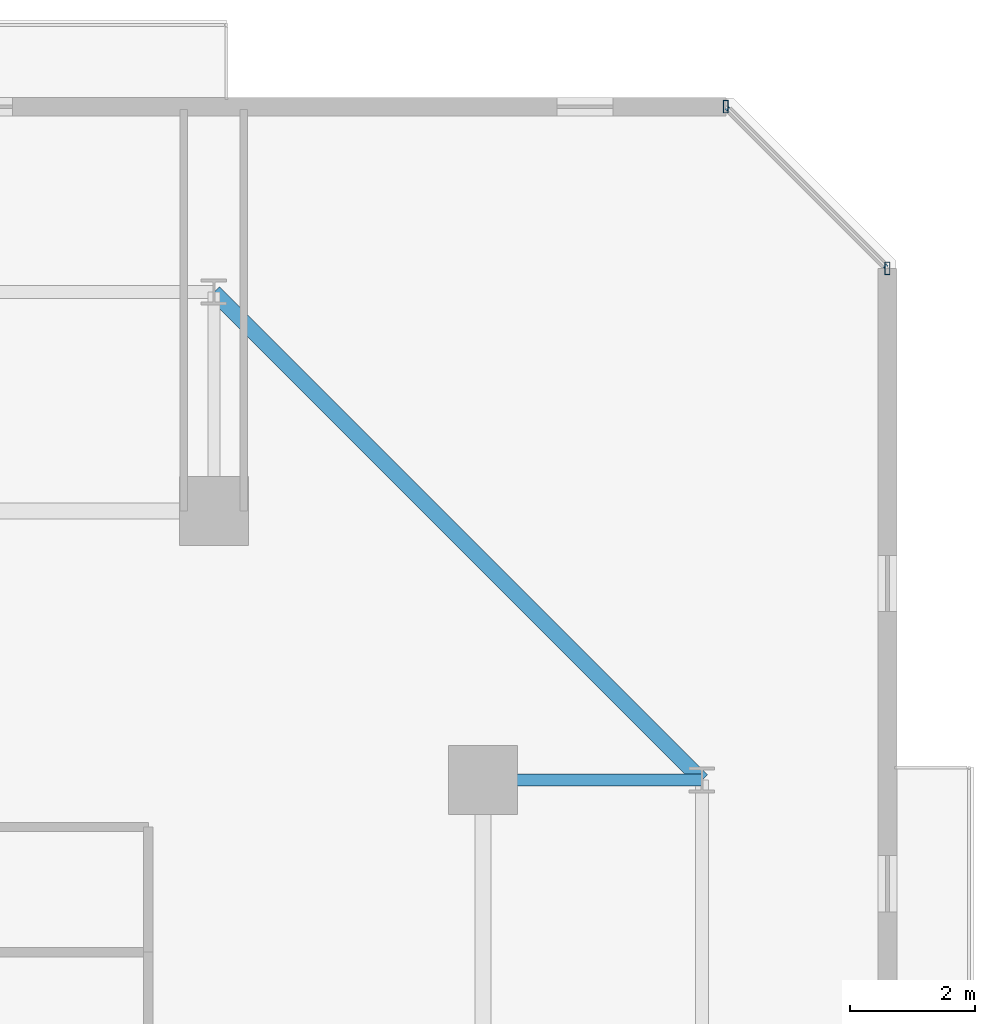
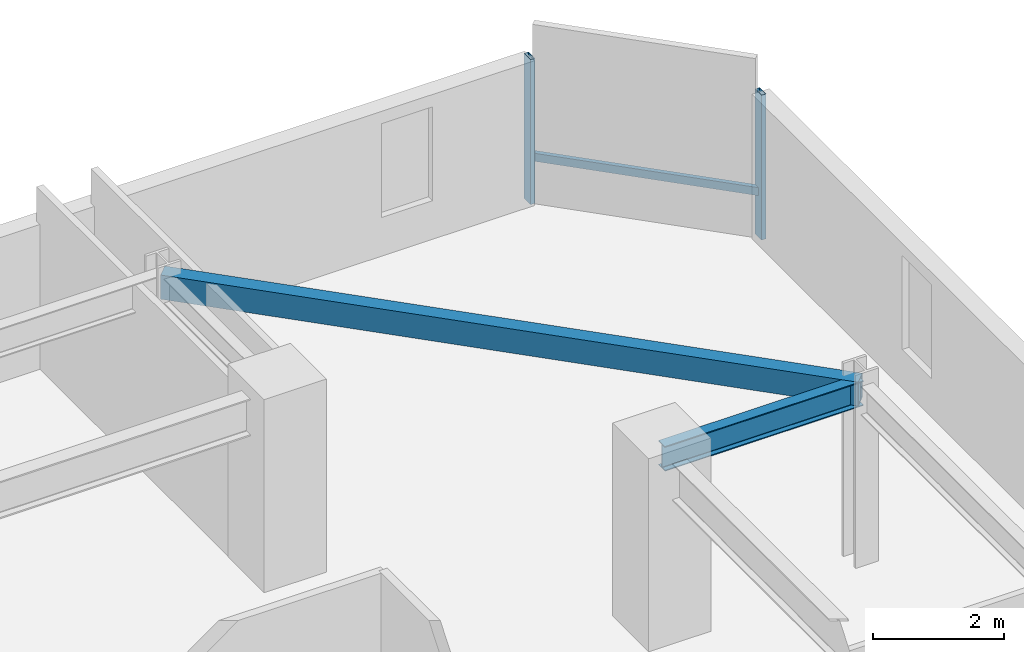
# One storey, part 17 of 33: 3 members, 2 beams, 1 element without a shape of its own.
"""IFC4 building model written with IfcOpenShell, lengths in metres."""

from ifc_helpers import new_model, si_unit, direction, frame, origin, origin_2d, place, context, subcontext, project, spatial, hollow_rectangle, i_section, extrude, material, material_profile, profile_set, type_object, element, aggregate, save


model = new_model("IFC4")

# Units and contexts
model_context = context("Model", 3, precision=1e-05, world=origin(), true_north=direction((0.0, 1.0)))
body_context = subcontext(model_context, "Body", "Model", "MODEL_VIEW")
ifc_project = project(units=[si_unit("LENGTHUNIT", "METRE"), si_unit("AREAUNIT", "SQUARE_METRE"), si_unit("VOLUMEUNIT", "CUBIC_METRE"), si_unit("PLANEANGLEUNIT", "RADIAN"), si_unit("MASSUNIT", "GRAM", prefix="KILO")], contexts=[model_context])

# Site, building, storey
site_placement = place(None, origin())
site = spatial("IfcSite", under=ifc_project, at=site_placement, CompositionType="ELEMENT")
building_placement = place(site_placement, origin())
building = spatial("IfcBuilding", under=site, at=building_placement, Name="Thornwick Lancets Civic Towers", CompositionType="ELEMENT")
storey_placement = place(building_placement, frame((0.0, 0.0, 167.10009765625)))
storey = spatial("IfcBuildingStorey", under=building, at=storey_placement, Name="L44", CompositionType="ELEMENT", Elevation=167.10009765625)

# Beams
ifc_material_1 = material(Name="Steel S355JR", Category="steel")
ifc_material_profile_1 = material_profile(ifc_material_1, i_section(OverallWidth=0.19189453125, OverallDepth=0.46337890625, WebThickness=0.010498046875, FlangeThickness=0.017578125, FilletRadius=0.01025390625, at=origin_2d()), Name="UKB 457x191x89")
ifc_profile_set_1 = profile_set([ifc_material_profile_1], Name="Steel S355JR")
beam_type_1 = type_object("IfcBeamType", Name="BM_JOIST_457_89", PredefinedType="JOIST", material=ifc_profile_set_1)
beam_1_placement = place(storey_placement, frame((105.800048828125, 40.0, 3.128173828125), z_axis=(1.0, 0.0, 0.0), x_axis=(0.0, 1.0, 0.0)))
element("IfcBeam", 1, at=beam_1_placement, inside=storey, type_object=beam_type_1, Name="BM-RAD-L44-B03", PredefinedType="JOIST", context=body_context, shape_type="SweptSolid", body=[
    extrude(i_section(OverallWidth=0.19189453125, OverallDepth=0.46337890625, WebThickness=0.010498046875, FlangeThickness=0.017578125, FilletRadius=0.01025390625, at=origin_2d()), origin(), (0.0, 0.0, 1.0), 3.5),
])
ifc_material_profile_2 = material_profile(ifc_material_1, hollow_rectangle(XDim=0.25, YDim=0.449951171875, WallThickness=0.01611328125, at=origin_2d()), Name="RHS 450x250x16")
ifc_profile_set_2 = profile_set([ifc_material_profile_2], Name="Steel S355JR")
beam_type_2 = type_object("IfcBeamType", Name="BM_RING_RHS450", PredefinedType="BEAM", material=ifc_profile_set_2)
beam_2_placement = place(storey_placement, frame((109.300048828125, 40.0, 3.135009765625), z_axis=(-0.707106781187, 0.707106781187, 0.0), x_axis=(-0.707106781187, -0.707106781187, 0.0)))
element("IfcBeam", 2, at=beam_2_placement, inside=storey, type_object=beam_type_2, Name="BM-CHAMF-L44-B-C0", PredefinedType="BEAM", context=body_context, shape_type="SweptSolid", body=[
    extrude(hollow_rectangle(XDim=0.25, YDim=0.449951171875, WallThickness=0.01611328125, at=origin_2d()), origin(), (0.0, 0.0, 1.0), 11.031005859375),
])

# Curtain wall, members
ifc_material_2 = material(Name="Mid-zone chamfered-corner unitised glass curtain wall", Category="glass")
curtain_wall_type = type_object("IfcCurtainWallType", Name="CW_SYS_04", PredefinedType="NOTDEFINED", material=ifc_material_2)
curtain_wall_placement = place(storey_placement, origin())
curtain_wall = element("IfcCurtainWall", 3, at=curtain_wall_placement, inside=storey, type_object=curtain_wall_type, Name="L44 Curtain Wall CW-L44-B-E3", PredefinedType="NOTDEFINED")
ifc_material_3 = material(Name="Thermally broken bronze aluminium S355", Category="steel")
ifc_material_profile_3 = material_profile(ifc_material_3, hollow_rectangle(XDim=0.080078125, YDim=0.199951171875, WallThickness=0.006103515625, at=origin_2d()), Name="RHS 200x80x6")
ifc_profile_set_3 = profile_set([ifc_material_profile_3], Name="Thermally broken bronze aluminium S355")
member_type_1 = type_object("IfcMemberType", Name="CW_MUL_200", PredefinedType="MULLION", material=ifc_profile_set_3)
member_1_placement = place(storey_placement, frame((112.2646484375, 48.181396484375, 0.0), z_axis=(0.0, 0.0, 1.0), x_axis=(1.0, 0.0, 0.0)))
member_1 = element("IfcMember", 4, at=member_1_placement, type_object=member_type_1, Name="CW-L44-B-E3 Mullion 0", PredefinedType="MULLION", context=body_context, shape_type="SweptSolid", body=[
    extrude(hollow_rectangle(XDim=0.080078125, YDim=0.199951171875, WallThickness=0.006103515625, at=origin_2d()), origin(), (0.0, 0.0, 1.0), 2.699951171875),
])
member_2_placement = place(storey_placement, frame((109.681396484375, 50.7646484375, 0.0), z_axis=(0.0, 0.0, 1.0), x_axis=(1.0, 0.0, 0.0)))
member_2 = element("IfcMember", 5, at=member_2_placement, type_object=member_type_1, Name="CW-L44-B-E3 Mullion 1", PredefinedType="MULLION", context=body_context, shape_type="SweptSolid", body=[
    extrude(hollow_rectangle(XDim=0.080078125, YDim=0.199951171875, WallThickness=0.006103515625, at=origin_2d()), origin(), (0.0, 0.0, 1.0), 2.699951171875),
])
ifc_material_profile_4 = material_profile(ifc_material_3, hollow_rectangle(XDim=0.074951171875, YDim=0.14990234375, WallThickness=0.0048828125, at=origin_2d()), Name="RHS 150x75x5")
ifc_profile_set_4 = profile_set([ifc_material_profile_4], Name="Thermally broken bronze aluminium S355")
member_type_2 = type_object("IfcMemberType", Name="CW_TRN_150", PredefinedType="USERDEFINED", material=ifc_profile_set_4)
member_3_placement = place(storey_placement, frame((112.25048828125, 48.195556640625, 0.849853515625), z_axis=(-0.707106781187, 0.707106781187, 0.0), x_axis=(-0.707106781187, -0.707106781187, 0.0)))
member_3 = element("IfcMember", 6, at=member_3_placement, type_object=member_type_2, Name="CW-L44-B-E3 Transom 0", ObjectType="TRANSOM", PredefinedType="USERDEFINED", context=body_context, shape_type="SweptSolid", body=[
    extrude(hollow_rectangle(XDim=0.074951171875, YDim=0.14990234375, WallThickness=0.0048828125, at=origin_2d()), origin(), (0.0, 0.0, 1.0), 3.61328125),
])
aggregate(curtain_wall, [member_1, member_2, member_3])

save(model, "model.ifc")
